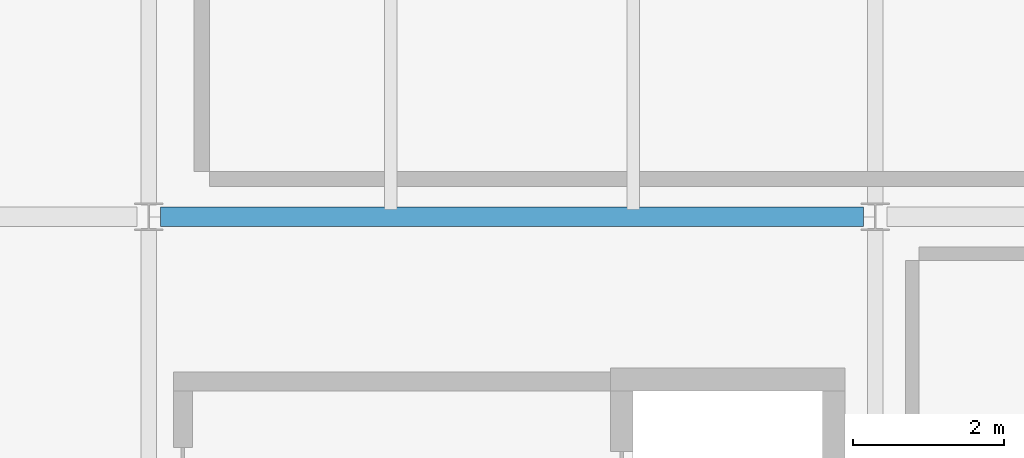
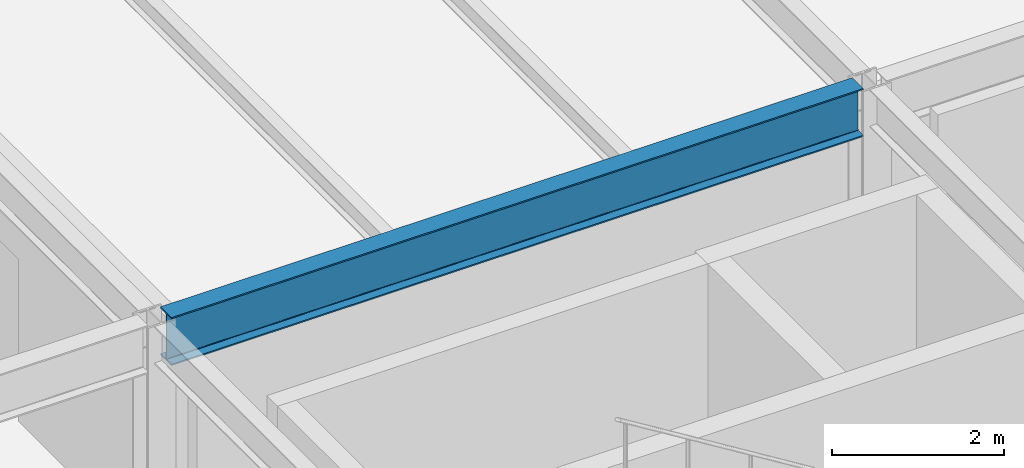
# One storey, part 39 of 170: 1 beam.
"""IFC4 building model written with IfcOpenShell, lengths in metres."""

from ifc_helpers import new_model, si_unit, direction, frame, origin, origin_2d, place, context, subcontext, project, spatial, i_section, extrude, material, material_profile, profile_set, type_object, element, save


model = new_model("IFC4")

# Units and contexts
model_context = context("Model", 3, precision=1e-05, world=origin(), true_north=direction((0.0, 1.0)))
body_context = subcontext(model_context, "Body", "Model", "MODEL_VIEW")
ifc_project = project(units=[si_unit("LENGTHUNIT", "METRE"), si_unit("AREAUNIT", "SQUARE_METRE"), si_unit("VOLUMEUNIT", "CUBIC_METRE"), si_unit("PLANEANGLEUNIT", "RADIAN"), si_unit("MASSUNIT", "GRAM", prefix="KILO")], contexts=[model_context])

# Site, building, storey
site_placement = place(None, origin())
site = spatial("IfcSite", under=ifc_project, at=site_placement, CompositionType="ELEMENT")
building_placement = place(site_placement, origin())
building = spatial("IfcBuilding", under=site, at=building_placement, Name="Coralgate Yard Interchange", CompositionType="ELEMENT")
storey_placement = place(building_placement, frame((0.0, 0.0, 6.0)))
storey = spatial("IfcBuildingStorey", under=building, at=storey_placement, Name="L01", CompositionType="ELEMENT", Elevation=6.0)

# Beam
ifc_material = material(Name="Structural steel S355J2", Category="steel")
ifc_material_profile = material_profile(ifc_material, i_section(OverallWidth=0.253662109375, OverallDepth=0.68359375, WebThickness=0.012451171875, FlangeThickness=0.01904296875, FilletRadius=0.01513671875, at=origin_2d()), Name="UB 686x254x140")
ifc_profile_set = profile_set([ifc_material_profile], Name="Structural steel S355J2")
beam_type = type_object("IfcBeamType", Name="BM-SG-4", PredefinedType="BEAM", material=ifc_profile_set)
beam_placement = place(storey_placement, frame((9.75634765625, 38.39990234375, 3.908203125), z_axis=(1.0, 0.0, 0.0), x_axis=(0.0, 1.0, 0.0)))
element("IfcBeam", 1, at=beam_placement, inside=storey, type_object=beam_type, Name="L01 primary grid beam Y4 X1-2", PredefinedType="BEAM", context=body_context, shape_type="SweptSolid", body=[
    extrude(i_section(OverallWidth=0.253662109375, OverallDepth=0.68359375, WebThickness=0.012451171875, FlangeThickness=0.01904296875, FilletRadius=0.01513671875, at=origin_2d()), origin(), (0.0, 0.0, 1.0), 9.287353515625),
])

save(model, "model.ifc")
